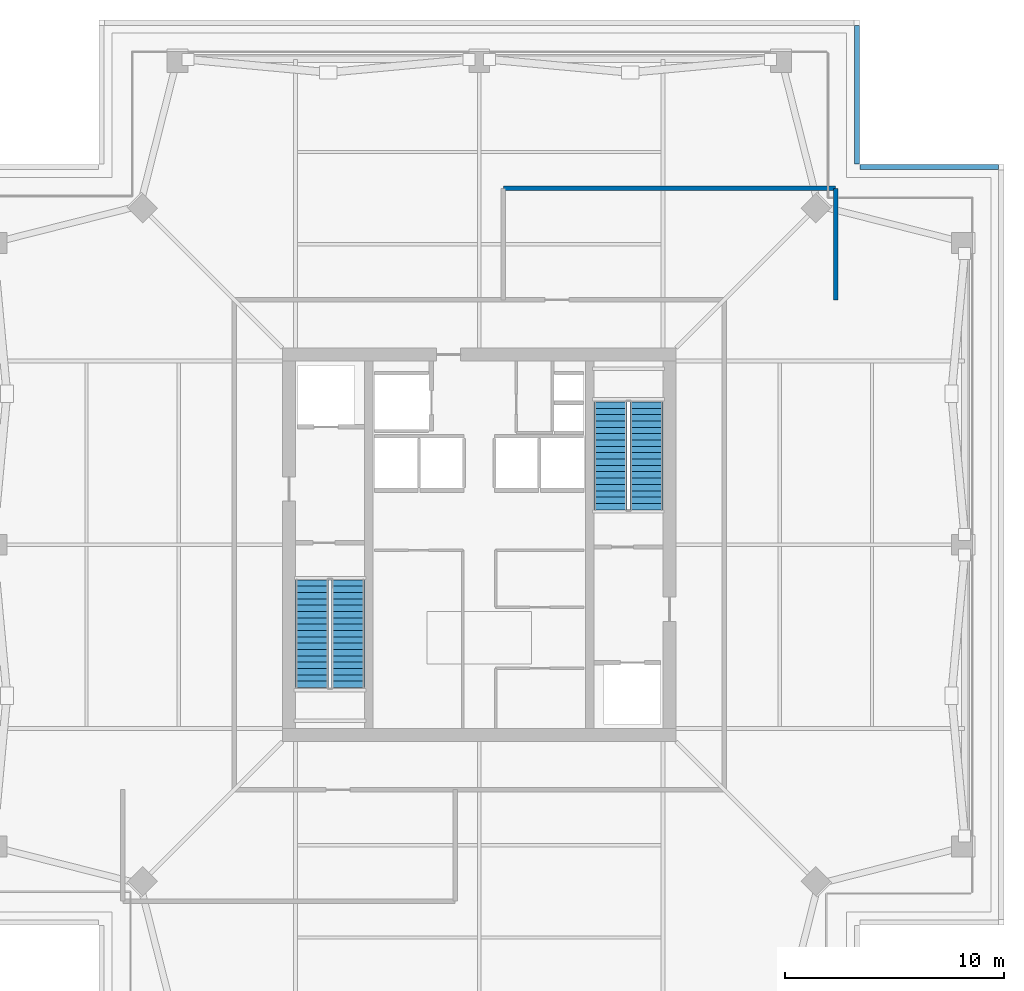
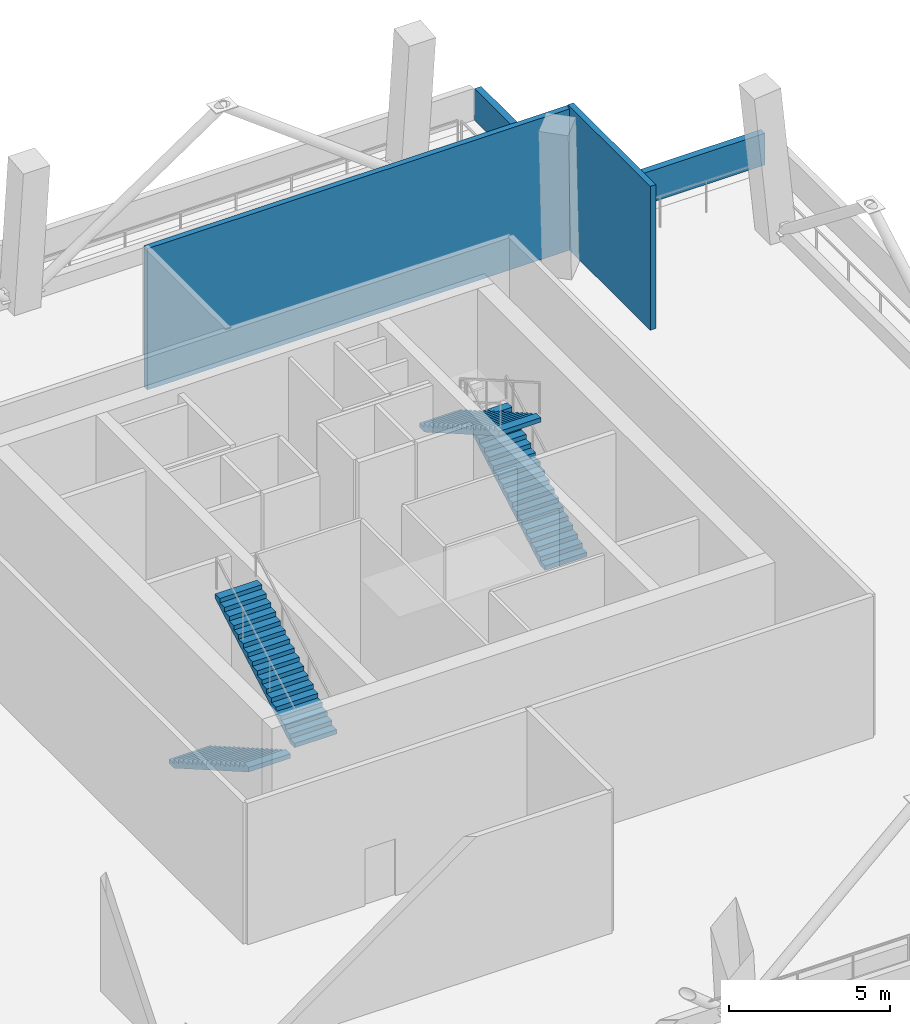
# One storey, part 4 of 7: 4 stair flights, 4 walls, 2 elements without a shape of their own.
"""IFC4 building model written with IfcOpenShell, lengths in metres."""

import ifcopenshell
import ifcopenshell.guid

model = None  # the IFC model being written
_history = None  # IfcOwnerHistory: only IFC2X3 demands one
_inside = {}  # id of a spatial element -> (the spatial element, [elements in it])
_under = {}  # id of a project, library or spatial element -> (it, [spatial elements below it])
_declared = {}  # id of a project -> (the project, [libraries it declares])
_typed = {}  # id of a type object -> (the type object, [elements of that type])
_made_of = {}  # id of a material, layer set ... -> (it, [elements and type objects made of it])


def new_model(schema):
    """Start an empty IFC model of exactly this schema.

    Asked for "IFC4X3", IfcOpenShell would pick the latest addendum, in which some entities
    have other attributes; the version numbers below select the first issue.
    IFC2X3 requires an IfcOwnerHistory on every rooted entity: one is made here for all.
    """
    global model, _history
    if schema == "IFC4X3":
        model = ifcopenshell.file(schema_version=(4, 3, 0, 0))
    else:
        model = ifcopenshell.file(schema=schema)
    _inside.clear()
    _under.clear()
    _declared.clear()
    _typed.clear()
    _made_of.clear()
    _history = None
    if model.schema == "IFC2X3":
        org = make("IfcOrganization", Name="unknown")
        user = make(
            "IfcPersonAndOrganization",
            ThePerson=make("IfcPerson", FamilyName="unknown"),
            TheOrganization=org,
        )
        app = make(
            "IfcApplication",
            ApplicationDeveloper=org,
            Version="unknown",
            ApplicationFullName="unknown",
            ApplicationIdentifier="unknown",
        )
        _history = make(
            "IfcOwnerHistory",
            OwningUser=user,
            OwningApplication=app,
            ChangeAction="ADDED",
            CreationDate=0,
        )
    return model


def make(cls, **values):
    """One entity of the class cls with the attributes given. An attribute that is None is left unset."""
    return model.create_entity(
        cls, **{name: value for name, value in values.items() if value is not None}
    )


def rooted(cls, **values):
    """An entity with a GlobalId (a new one), such as an element, a storey or a relation."""
    return make(cls, GlobalId=ifcopenshell.guid.new(), OwnerHistory=_history, **values)


def si_unit(unit_type, name, prefix=None):
    """IfcSIUnit, for example si_unit("LENGTHUNIT", "METRE", prefix="MILLI")."""
    return make("IfcSIUnit", UnitType=unit_type, Prefix=prefix, Name=name)


def assignment(units):
    """IfcUnitAssignment: the units of a project."""
    return None if units is None else make("IfcUnitAssignment", Units=units)


def point(xyz):
    """IfcCartesianPoint."""
    return None if xyz is None else make("IfcCartesianPoint", Coordinates=xyz)


def direction(xyz):
    """IfcDirection."""
    return None if xyz is None else make("IfcDirection", DirectionRatios=xyz)


def frame(location, z_axis=None, x_axis=None):
    """IfcAxis2Placement3D, a coordinate frame: its origin and axes. An axis left out is left unset."""
    return make(
        "IfcAxis2Placement3D",
        Location=point(location),
        Axis=direction(z_axis),
        RefDirection=direction(x_axis),
    )


def frame_2d(location, x_axis=None):
    """IfcAxis2Placement2D, a coordinate frame in the plane: its origin and x axis."""
    return make(
        "IfcAxis2Placement2D", Location=point(location), RefDirection=direction(x_axis)
    )


def origin():
    """The frame at (0, 0, 0) with its axes left unset."""
    return frame((0.0, 0.0, 0.0))


def place(relative_to, where):
    """IfcLocalPlacement: puts the frame where relative to a parent placement (None: the world)."""
    return make(
        "IfcLocalPlacement", PlacementRelTo=relative_to, RelativePlacement=where
    )


def context(
    kind, dimensions, precision=None, world=None, true_north=None, identifier=None
):
    """IfcGeometricRepresentationContext, for example the 3D "Model" context."""
    return make(
        "IfcGeometricRepresentationContext",
        ContextIdentifier=identifier,
        ContextType=kind,
        CoordinateSpaceDimension=dimensions,
        Precision=precision,
        WorldCoordinateSystem=world,
        TrueNorth=true_north,
    )


def subcontext(parent, identifier, kind, view, scale=None):
    """IfcGeometricRepresentationSubContext, for example "Body" below "Model"."""
    return make(
        "IfcGeometricRepresentationSubContext",
        ContextIdentifier=identifier,
        ContextType=kind,
        ParentContext=parent,
        TargetScale=scale,
        TargetView=view,
    )


def project(units=None, contexts=None):
    """IfcProject with its units and contexts."""
    return rooted(
        "IfcProject",
        Name="project",
        RepresentationContexts=contexts,
        UnitsInContext=assignment(units),
    )


def spatial(cls, under=None, at=None, **own):
    """A site, building, storey or space (cls), placed at a placement, below another one or the project."""
    s = rooted(cls, ObjectPlacement=at, **own)
    if under is not None:
        _under.setdefault(under.id(), (under, []))[1].append(s)
    return s


def polyline(points):
    """IfcPolyline through the points."""
    return make("IfcPolyline", Points=[point(p) for p in points])


def profile(cls, at=None, kind="AREA", **sizes):
    """A parametric profile (cls). Its sizes go by their IFC names, for example OverallWidth=200.0."""
    return make(cls, ProfileType=kind, Position=at, **sizes)


def rectangle(**sizes):
    """IfcRectangleProfileDef."""
    return profile("IfcRectangleProfileDef", **sizes)


def outline(outer, holes=None, kind="AREA"):
    """IfcArbitraryClosedProfileDef: a profile drawn as a closed curve; with holes, ...WithVoids."""
    if holes is None:
        return make("IfcArbitraryClosedProfileDef", ProfileType=kind, OuterCurve=outer)
    return make(
        "IfcArbitraryProfileDefWithVoids",
        ProfileType=kind,
        OuterCurve=outer,
        InnerCurves=holes,
    )


def extrude(swept, where, along, depth):
    """IfcExtrudedAreaSolid: the profile swept, set in the frame where, extruded along a direction by depth."""
    return make(
        "IfcExtrudedAreaSolid",
        SweptArea=swept,
        Position=where,
        ExtrudedDirection=direction(along),
        Depth=depth,
    )


def shape(context_of_items, identifier, shape_type, items):
    """IfcShapeRepresentation: the items that make up one representation, for example the "Body"."""
    return make(
        "IfcShapeRepresentation",
        ContextOfItems=context_of_items,
        RepresentationIdentifier=identifier,
        RepresentationType=shape_type,
        Items=items,
    )


def material(Name=None, Category=None):
    """IfcMaterial."""
    return make("IfcMaterial", Name=Name, Category=Category)


def layer(
    of_material, thickness, ventilated=None, Name=None, Category=None, Priority=None
):
    """IfcMaterialLayer: one layer of a wall or slab, of a material (None: an air gap)."""
    return make(
        "IfcMaterialLayer",
        Material=of_material,
        LayerThickness=thickness,
        IsVentilated=ventilated,
        Name=Name,
        Category=Category,
        Priority=Priority,
    )


def layer_set(layers, Name=None):
    """IfcMaterialLayerSet."""
    return make("IfcMaterialLayerSet", MaterialLayers=layers, LayerSetName=Name)


def made_of(thing, what):
    """Note that an element or type object is made of a material, layer set ...; save() writes the relation."""
    if what is not None:
        _made_of.setdefault(what.id(), (what, []))[1].append(thing)
    return thing


def type_object(cls, material=None, **own):
    """A type object (cls), such as IfcWallType, which elements share."""
    return made_of(rooted(cls, **own), material)


def element(
    cls,
    number,
    at=None,
    inside=None,
    cuts=None,
    type_object=None,
    material=None,
    context=None,
    identifier="Body",
    shape_type=None,
    held_by="IfcProductDefinitionShape",
    body=None,
    shapes=None,
    **own,
):
    """One element of the class cls, such as IfcWall. Its Tag is "e" and its number.

    at: its placement. inside: the storey or other place that contains it. cuts: it is an
    opening in that element (IfcRelVoidsElement). A single representation is given by context,
    identifier, shape_type and body (its items); several are given by shapes. held_by: the class
    of the entity that holds the representations. save() writes the other relations.
    """
    e = rooted(cls, Tag="e%d" % number, ObjectPlacement=at, **own)
    if body is not None:
        shapes = [shape(context, identifier, shape_type, body)]
    if shapes is not None:
        e.Representation = make(held_by, Representations=shapes)
    if inside is not None:
        _inside.setdefault(inside.id(), (inside, []))[1].append(e)
    if cuts is not None:
        rooted(
            "IfcRelVoidsElement", RelatingBuildingElement=cuts, RelatedOpeningElement=e
        )
    if type_object is not None:
        _typed.setdefault(type_object.id(), (type_object, []))[1].append(e)
    return made_of(e, material)


def aggregate(whole, parts):
    """IfcRelAggregates: a whole, such as a stair, and the parts it consists of."""
    return rooted("IfcRelAggregates", RelatingObject=whole, RelatedObjects=parts)


def save(model, path):
    """Write the relations noted so far, then the file.

    IfcRelAggregates (storeys below a building ...), IfcRelContainedInSpatialStructure (elements
    in a storey), IfcRelDefinesByType, IfcRelAssociatesMaterial and IfcRelDeclares: one each for
    every whole, place, type object, material and project.
    """
    for whole, parts in _under.values():
        aggregate(whole, parts)
    for where, things in _inside.values():
        rooted(
            "IfcRelContainedInSpatialStructure",
            RelatedElements=things,
            RelatingStructure=where,
        )
    for kind, things in _typed.values():
        rooted("IfcRelDefinesByType", RelatedObjects=things, RelatingType=kind)
    for what, things in _made_of.values():
        rooted("IfcRelAssociatesMaterial", RelatedObjects=things, RelatingMaterial=what)
    for by, libraries in _declared.values():
        rooted("IfcRelDeclares", RelatingContext=by, RelatedDefinitions=libraries)
    model.write(path)


model = new_model("IFC4")

# Units and contexts
model_context = context("Model", 3, precision=1e-05, world=origin(), true_north=direction((0.0, 1.0)))
body_context = subcontext(model_context, "Body", "Model", "MODEL_VIEW")
ifc_project = project(units=[si_unit("LENGTHUNIT", "METRE"), si_unit("AREAUNIT", "SQUARE_METRE"), si_unit("VOLUMEUNIT", "CUBIC_METRE"), si_unit("PLANEANGLEUNIT", "RADIAN"), si_unit("MASSUNIT", "GRAM", prefix="KILO")], contexts=[model_context])

# Site, building, storey
site_placement = place(None, origin())
site = spatial("IfcSite", under=ifc_project, at=site_placement, CompositionType="ELEMENT")
building_placement = place(site_placement, origin())
building = spatial("IfcBuilding", under=site, at=building_placement, Name="Belovzor Exchange Tower", CompositionType="ELEMENT")
storey_placement = place(building_placement, frame((0.0, 0.0, 289.5)))
storey = spatial("IfcBuildingStorey", under=building, at=storey_placement, Name="L72", CompositionType="ELEMENT", Elevation=289.5)

# Walls
ifc_material_1 = material(Name="Precast concrete C40/50", Category="concrete")
ifc_layer_1 = layer(ifc_material_1, 0.239990234375)
ifc_layer_set_1 = layer_set([ifc_layer_1], Name="Precast concrete C40/50")
wall_type_1 = type_object("IfcWallType", Name="Precast Stone Setback Roof Parapet Wall 240", PredefinedType="PARAPET", material=ifc_layer_set_1)
for number, where, z_axis, x_axis, name in (
    (1, (52.544921875, 46.080078125, 0.0), (0.0, 0.0, 1.0), (-1.0, 0.0, 0.0), "W-PAR240 Precast Stone Setback Roof Parapet Wall 240 L72"),
    (2, (46.080078125, 46.215087890625, 0.0), (0.0, 0.0, 1.0), (0.0, 1.0, 0.0), "W-PAR240 Precast Stone Setback Roof Parapet Wall 240 L72"),
):
    element("IfcWall", number, at=place(storey_placement, frame(where, z_axis=z_axis, x_axis=x_axis)), inside=storey, type_object=wall_type_1, Name=name, PredefinedType="PARAPET", context=body_context, shape_type="SweptSolid", body=[
        extrude(rectangle(XDim=6.329833984375, YDim=0.239990234375, at=frame_2d((3.1650390625, 0.0))), origin(), (0.0, 0.0, 1.0), 1.199951171875),
    ])
ifc_material_2 = material(Name="Concrete C40/50", Category="concrete")
ifc_layer_2 = layer(ifc_material_2, 0.199951171875)
ifc_layer_set_2 = layer_set([ifc_layer_2], Name="Concrete C40/50")
wall_type_2 = type_object("IfcWallType", Name="Reinforced Concrete Compartment Wall 200", PredefinedType="PARTITIONING", material=ifc_layer_set_2)
wall_1_placement = place(storey_placement, frame((29.89990234375, 45.10009765625, 0.0), z_axis=(0.0, 0.0, 1.0), x_axis=(1.0, 0.0, 0.0)))
element("IfcWall", 3, at=wall_1_placement, inside=storey, type_object=wall_type_2, Name="W-C200 Partition Wall W-L72-Q2N", PredefinedType="PARTITIONING", context=body_context, shape_type="SweptSolid", body=[
    extrude(rectangle(XDim=15.2001953125, YDim=0.199951171875, at=frame_2d((7.60009765625, 0.0))), origin(), (0.0, 0.0, 1.0), 5.344970703125),
])
wall_2_placement = place(storey_placement, frame((45.10009765625, 40.0, 0.0), z_axis=(0.0, 0.0, 1.0), x_axis=(0.0, 1.0, 0.0)))
element("IfcWall", 4, at=wall_2_placement, inside=storey, type_object=wall_type_2, Name="W-C200 Partition Wall W-L72-Q2E", PredefinedType="PARTITIONING", context=body_context, shape_type="SweptSolid", body=[
    extrude(rectangle(XDim=5.10009765625, YDim=0.199951171875, at=frame_2d((2.550048828125, 0.0))), origin(), (0.0, 0.0, 1.0), 5.445068359375),
])

# Stair, stair flights
ifc_material_3 = material(Name="Concrete C40/50", Category="concrete")
stair_type = type_object("IfcStairType", Name="Reinforced Concrete Dogleg Escape Stair 1350", PredefinedType="HALF_TURN_STAIR", material=ifc_material_3)
stair_1_placement = place(storey_placement, origin())
stair_1 = element("IfcStair", 5, at=stair_1_placement, inside=storey, type_object=stair_type, Name="L72 ST-1", PredefinedType="HALF_TURN_STAIR")
ifc_material_4 = material(Name="Concrete C40/50", Category="concrete")
stair_flight_type = type_object("IfcStairFlightType", Name="Reinforced Concrete Stair Flight 1350", PredefinedType="STRAIGHT", material=ifc_material_4)
stair_flight_1_placement = place(storey_placement, frame((21.14990234375, 27.199951171875, 0.0), z_axis=(0.0, 0.0, 1.0), x_axis=(0.0, -1.0, 0.0)))
stair_flight_1 = element("IfcStairFlight", 6, at=stair_flight_1_placement, type_object=stair_flight_type, Name="ST-1 flight 1", NumberOfRisers=18, NumberOfTreads=17, PredefinedType="STRAIGHT", RiserHeight=0.166666667, TreadLength=0.29, context=body_context, shape_type="SweptSolid", body=[
    extrude(outline(polyline([(0.0, 0.0), (0.0, 0.166748046875), (0.2900390625, 0.166748046875), (0.2900390625, 0.333251953125), (0.580078125, 0.333251953125), (0.580078125, 0.5), (0.8701171875, 0.5), (0.8701171875, 0.666748046875), (1.159912109375, 0.666748046875), (1.159912109375, 0.833251953125), (1.449951171875, 0.833251953125), (1.449951171875, 1.0), (1.739990234375, 1.0), (1.739990234375, 1.166748046875), (2.030029296875, 1.166748046875), (2.030029296875, 1.333251953125), (2.320068359375, 1.333251953125), (2.320068359375, 1.5), (2.610107421875, 1.5), (2.610107421875, 1.666748046875), (2.89990234375, 1.666748046875), (2.89990234375, 1.833251953125), (3.18994140625, 1.833251953125), (3.18994140625, 2.0), (3.47998046875, 2.0), (3.47998046875, 2.166748046875), (3.77001953125, 2.166748046875), (3.77001953125, 2.333251953125), (4.06005859375, 2.333251953125), (4.06005859375, 2.5), (4.35009765625, 2.5), (4.35009765625, 2.666748046875), (4.639892578125, 2.666748046875), (4.639892578125, 2.833251953125), (4.929931640625, 2.833251953125), (4.929931640625, 3.0), (4.929931640625, 2.660400390625), (0.30078125, 0.0), (0.0, 0.0)])), frame((0.0, 0.75, 0.0), z_axis=(0.0, -1.0, 0.0), x_axis=(1.0, 0.0, 0.0)), (0.0, 0.0, 1.0), 1.5),
])
stair_flight_2_placement = place(storey_placement, frame((22.800048828125, 22.27001953125, 3.0), z_axis=(0.0, 0.0, 1.0), x_axis=(0.0, 1.0, 0.0)))
stair_flight_2 = element("IfcStairFlight", 7, at=stair_flight_2_placement, type_object=stair_flight_type, Name="ST-1 flight 2", NumberOfRisers=18, NumberOfTreads=17, PredefinedType="STRAIGHT", RiserHeight=0.166666667, TreadLength=0.29, context=body_context, shape_type="SweptSolid", body=[
    extrude(outline(polyline([(0.0, 0.0), (0.0, 0.166748046875), (0.2900390625, 0.166748046875), (0.2900390625, 0.333251953125), (0.580078125, 0.333251953125), (0.580078125, 0.5), (0.8701171875, 0.5), (0.8701171875, 0.666748046875), (1.159912109375, 0.666748046875), (1.159912109375, 0.833251953125), (1.449951171875, 0.833251953125), (1.449951171875, 1.0), (1.739990234375, 1.0), (1.739990234375, 1.166748046875), (2.030029296875, 1.166748046875), (2.030029296875, 1.333251953125), (2.320068359375, 1.333251953125), (2.320068359375, 1.5), (2.610107421875, 1.5), (2.610107421875, 1.666748046875), (2.89990234375, 1.666748046875), (2.89990234375, 1.833251953125), (3.18994140625, 1.833251953125), (3.18994140625, 2.0), (3.47998046875, 2.0), (3.47998046875, 2.166748046875), (3.77001953125, 2.166748046875), (3.77001953125, 2.333251953125), (4.06005859375, 2.333251953125), (4.06005859375, 2.5), (4.35009765625, 2.5), (4.35009765625, 2.666748046875), (4.639892578125, 2.666748046875), (4.639892578125, 2.833251953125), (4.929931640625, 2.833251953125), (4.929931640625, 3.0), (4.929931640625, 2.660400390625), (0.30078125, 0.0), (0.0, 0.0)])), frame((0.0, 0.75, 0.0), z_axis=(0.0, -1.0, 0.0), x_axis=(1.0, 0.0, 0.0)), (0.0, 0.0, 1.0), 1.5),
])
aggregate(stair_1, [stair_flight_1, stair_flight_2])

stair_2_placement = place(storey_placement, origin())
stair_2 = element("IfcStair", 8, at=stair_2_placement, inside=storey, type_object=stair_type, Name="L72 ST-2", PredefinedType="HALF_TURN_STAIR")
stair_flight_3_placement = place(storey_placement, frame((36.449951171875, 30.39990234375, 0.0), z_axis=(0.0, 0.0, 1.0), x_axis=(0.0, 1.0, 0.0)))
stair_flight_3 = element("IfcStairFlight", 9, at=stair_flight_3_placement, type_object=stair_flight_type, Name="ST-2 flight 1", NumberOfRisers=18, NumberOfTreads=17, PredefinedType="STRAIGHT", RiserHeight=0.166666667, TreadLength=0.29, context=body_context, shape_type="SweptSolid", body=[
    extrude(outline(polyline([(0.0, 0.0), (0.0, 0.166748046875), (0.2900390625, 0.166748046875), (0.2900390625, 0.333251953125), (0.580078125, 0.333251953125), (0.580078125, 0.5), (0.8701171875, 0.5), (0.8701171875, 0.666748046875), (1.159912109375, 0.666748046875), (1.159912109375, 0.833251953125), (1.449951171875, 0.833251953125), (1.449951171875, 1.0), (1.739990234375, 1.0), (1.739990234375, 1.166748046875), (2.030029296875, 1.166748046875), (2.030029296875, 1.333251953125), (2.320068359375, 1.333251953125), (2.320068359375, 1.5), (2.610107421875, 1.5), (2.610107421875, 1.666748046875), (2.89990234375, 1.666748046875), (2.89990234375, 1.833251953125), (3.18994140625, 1.833251953125), (3.18994140625, 2.0), (3.47998046875, 2.0), (3.47998046875, 2.166748046875), (3.77001953125, 2.166748046875), (3.77001953125, 2.333251953125), (4.06005859375, 2.333251953125), (4.06005859375, 2.5), (4.35009765625, 2.5), (4.35009765625, 2.666748046875), (4.639892578125, 2.666748046875), (4.639892578125, 2.833251953125), (4.929931640625, 2.833251953125), (4.929931640625, 3.0), (4.929931640625, 2.660400390625), (0.30078125, 0.0), (0.0, 0.0)])), frame((0.0, 0.75, 0.0), z_axis=(0.0, -1.0, 0.0), x_axis=(1.0, 0.0, 0.0)), (0.0, 0.0, 1.0), 1.5),
])
stair_flight_4_placement = place(storey_placement, frame((34.800048828125, 35.330078125, 3.0), z_axis=(0.0, 0.0, 1.0), x_axis=(0.0, -1.0, 0.0)))
stair_flight_4 = element("IfcStairFlight", 10, at=stair_flight_4_placement, type_object=stair_flight_type, Name="ST-2 flight 2", NumberOfRisers=18, NumberOfTreads=17, PredefinedType="STRAIGHT", RiserHeight=0.166666667, TreadLength=0.29, context=body_context, shape_type="SweptSolid", body=[
    extrude(outline(polyline([(0.0, 0.0), (0.0, 0.166748046875), (0.2900390625, 0.166748046875), (0.2900390625, 0.333251953125), (0.580078125, 0.333251953125), (0.580078125, 0.5), (0.8701171875, 0.5), (0.8701171875, 0.666748046875), (1.159912109375, 0.666748046875), (1.159912109375, 0.833251953125), (1.449951171875, 0.833251953125), (1.449951171875, 1.0), (1.739990234375, 1.0), (1.739990234375, 1.166748046875), (2.030029296875, 1.166748046875), (2.030029296875, 1.333251953125), (2.320068359375, 1.333251953125), (2.320068359375, 1.5), (2.610107421875, 1.5), (2.610107421875, 1.666748046875), (2.89990234375, 1.666748046875), (2.89990234375, 1.833251953125), (3.18994140625, 1.833251953125), (3.18994140625, 2.0), (3.47998046875, 2.0), (3.47998046875, 2.166748046875), (3.77001953125, 2.166748046875), (3.77001953125, 2.333251953125), (4.06005859375, 2.333251953125), (4.06005859375, 2.5), (4.35009765625, 2.5), (4.35009765625, 2.666748046875), (4.639892578125, 2.666748046875), (4.639892578125, 2.833251953125), (4.929931640625, 2.833251953125), (4.929931640625, 3.0), (4.929931640625, 2.660400390625), (0.30078125, 0.0), (0.0, 0.0)])), frame((0.0, 0.75, 0.0), z_axis=(0.0, -1.0, 0.0), x_axis=(1.0, 0.0, 0.0)), (0.0, 0.0, 1.0), 1.5),
])
aggregate(stair_2, [stair_flight_3, stair_flight_4])

save(model, "model.ifc")
